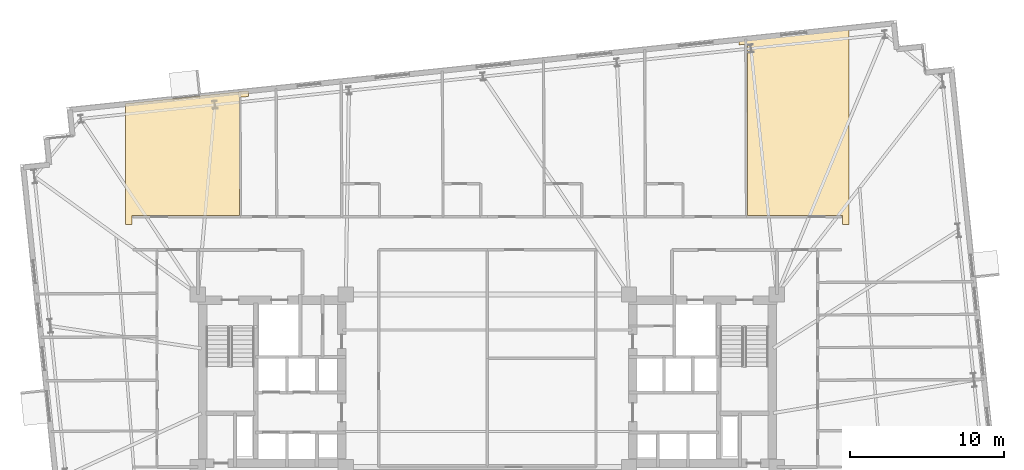
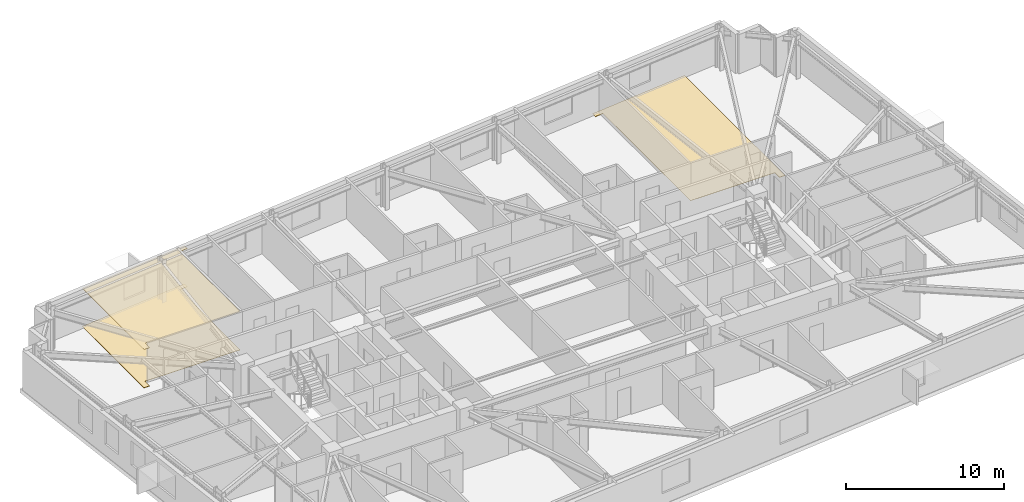
# One storey, part 20 of 20: 3 coverings.
"""IFC4 building model written with IfcOpenShell, lengths in metres."""

import ifcopenshell
import ifcopenshell.guid

model = None  # the IFC model being written
_history = None  # IfcOwnerHistory: only IFC2X3 demands one
_inside = {}  # id of a spatial element -> (the spatial element, [elements in it])
_under = {}  # id of a project, library or spatial element -> (it, [spatial elements below it])
_declared = {}  # id of a project -> (the project, [libraries it declares])
_typed = {}  # id of a type object -> (the type object, [elements of that type])
_made_of = {}  # id of a material, layer set ... -> (it, [elements and type objects made of it])


def new_model(schema):
    """Start an empty IFC model of exactly this schema.

    Asked for "IFC4X3", IfcOpenShell would pick the latest addendum, in which some entities
    have other attributes; the version numbers below select the first issue.
    IFC2X3 requires an IfcOwnerHistory on every rooted entity: one is made here for all.
    """
    global model, _history
    if schema == "IFC4X3":
        model = ifcopenshell.file(schema_version=(4, 3, 0, 0))
    else:
        model = ifcopenshell.file(schema=schema)
    _inside.clear()
    _under.clear()
    _declared.clear()
    _typed.clear()
    _made_of.clear()
    _history = None
    if model.schema == "IFC2X3":
        org = make("IfcOrganization", Name="unknown")
        user = make(
            "IfcPersonAndOrganization",
            ThePerson=make("IfcPerson", FamilyName="unknown"),
            TheOrganization=org,
        )
        app = make(
            "IfcApplication",
            ApplicationDeveloper=org,
            Version="unknown",
            ApplicationFullName="unknown",
            ApplicationIdentifier="unknown",
        )
        _history = make(
            "IfcOwnerHistory",
            OwningUser=user,
            OwningApplication=app,
            ChangeAction="ADDED",
            CreationDate=0,
        )
    return model


def make(cls, **values):
    """One entity of the class cls with the attributes given. An attribute that is None is left unset."""
    return model.create_entity(
        cls, **{name: value for name, value in values.items() if value is not None}
    )


def rooted(cls, **values):
    """An entity with a GlobalId (a new one), such as an element, a storey or a relation."""
    return make(cls, GlobalId=ifcopenshell.guid.new(), OwnerHistory=_history, **values)


def si_unit(unit_type, name, prefix=None):
    """IfcSIUnit, for example si_unit("LENGTHUNIT", "METRE", prefix="MILLI")."""
    return make("IfcSIUnit", UnitType=unit_type, Prefix=prefix, Name=name)


def assignment(units):
    """IfcUnitAssignment: the units of a project."""
    return None if units is None else make("IfcUnitAssignment", Units=units)


def point(xyz):
    """IfcCartesianPoint."""
    return None if xyz is None else make("IfcCartesianPoint", Coordinates=xyz)


def direction(xyz):
    """IfcDirection."""
    return None if xyz is None else make("IfcDirection", DirectionRatios=xyz)


def frame(location, z_axis=None, x_axis=None):
    """IfcAxis2Placement3D, a coordinate frame: its origin and axes. An axis left out is left unset."""
    return make(
        "IfcAxis2Placement3D",
        Location=point(location),
        Axis=direction(z_axis),
        RefDirection=direction(x_axis),
    )


def origin():
    """The frame at (0, 0, 0) with its axes left unset."""
    return frame((0.0, 0.0, 0.0))


def place(relative_to, where):
    """IfcLocalPlacement: puts the frame where relative to a parent placement (None: the world)."""
    return make(
        "IfcLocalPlacement", PlacementRelTo=relative_to, RelativePlacement=where
    )


def context(
    kind, dimensions, precision=None, world=None, true_north=None, identifier=None
):
    """IfcGeometricRepresentationContext, for example the 3D "Model" context."""
    return make(
        "IfcGeometricRepresentationContext",
        ContextIdentifier=identifier,
        ContextType=kind,
        CoordinateSpaceDimension=dimensions,
        Precision=precision,
        WorldCoordinateSystem=world,
        TrueNorth=true_north,
    )


def subcontext(parent, identifier, kind, view, scale=None):
    """IfcGeometricRepresentationSubContext, for example "Body" below "Model"."""
    return make(
        "IfcGeometricRepresentationSubContext",
        ContextIdentifier=identifier,
        ContextType=kind,
        ParentContext=parent,
        TargetScale=scale,
        TargetView=view,
    )


def project(units=None, contexts=None):
    """IfcProject with its units and contexts."""
    return rooted(
        "IfcProject",
        Name="project",
        RepresentationContexts=contexts,
        UnitsInContext=assignment(units),
    )


def spatial(cls, under=None, at=None, **own):
    """A site, building, storey or space (cls), placed at a placement, below another one or the project."""
    s = rooted(cls, ObjectPlacement=at, **own)
    if under is not None:
        _under.setdefault(under.id(), (under, []))[1].append(s)
    return s


def polyline(points):
    """IfcPolyline through the points."""
    return make("IfcPolyline", Points=[point(p) for p in points])


def outline(outer, holes=None, kind="AREA"):
    """IfcArbitraryClosedProfileDef: a profile drawn as a closed curve; with holes, ...WithVoids."""
    if holes is None:
        return make("IfcArbitraryClosedProfileDef", ProfileType=kind, OuterCurve=outer)
    return make(
        "IfcArbitraryProfileDefWithVoids",
        ProfileType=kind,
        OuterCurve=outer,
        InnerCurves=holes,
    )


def extrude(swept, where, along, depth):
    """IfcExtrudedAreaSolid: the profile swept, set in the frame where, extruded along a direction by depth."""
    return make(
        "IfcExtrudedAreaSolid",
        SweptArea=swept,
        Position=where,
        ExtrudedDirection=direction(along),
        Depth=depth,
    )


def shape(context_of_items, identifier, shape_type, items):
    """IfcShapeRepresentation: the items that make up one representation, for example the "Body"."""
    return make(
        "IfcShapeRepresentation",
        ContextOfItems=context_of_items,
        RepresentationIdentifier=identifier,
        RepresentationType=shape_type,
        Items=items,
    )


def material(Name=None, Category=None):
    """IfcMaterial."""
    return make("IfcMaterial", Name=Name, Category=Category)


def layer(
    of_material, thickness, ventilated=None, Name=None, Category=None, Priority=None
):
    """IfcMaterialLayer: one layer of a wall or slab, of a material (None: an air gap)."""
    return make(
        "IfcMaterialLayer",
        Material=of_material,
        LayerThickness=thickness,
        IsVentilated=ventilated,
        Name=Name,
        Category=Category,
        Priority=Priority,
    )


def layer_set(layers, Name=None):
    """IfcMaterialLayerSet."""
    return make("IfcMaterialLayerSet", MaterialLayers=layers, LayerSetName=Name)


def made_of(thing, what):
    """Note that an element or type object is made of a material, layer set ...; save() writes the relation."""
    if what is not None:
        _made_of.setdefault(what.id(), (what, []))[1].append(thing)
    return thing


def type_object(cls, material=None, **own):
    """A type object (cls), such as IfcWallType, which elements share."""
    return made_of(rooted(cls, **own), material)


def element(
    cls,
    number,
    at=None,
    inside=None,
    cuts=None,
    type_object=None,
    material=None,
    context=None,
    identifier="Body",
    shape_type=None,
    held_by="IfcProductDefinitionShape",
    body=None,
    shapes=None,
    **own,
):
    """One element of the class cls, such as IfcWall. Its Tag is "e" and its number.

    at: its placement. inside: the storey or other place that contains it. cuts: it is an
    opening in that element (IfcRelVoidsElement). A single representation is given by context,
    identifier, shape_type and body (its items); several are given by shapes. held_by: the class
    of the entity that holds the representations. save() writes the other relations.
    """
    e = rooted(cls, Tag="e%d" % number, ObjectPlacement=at, **own)
    if body is not None:
        shapes = [shape(context, identifier, shape_type, body)]
    if shapes is not None:
        e.Representation = make(held_by, Representations=shapes)
    if inside is not None:
        _inside.setdefault(inside.id(), (inside, []))[1].append(e)
    if cuts is not None:
        rooted(
            "IfcRelVoidsElement", RelatingBuildingElement=cuts, RelatedOpeningElement=e
        )
    if type_object is not None:
        _typed.setdefault(type_object.id(), (type_object, []))[1].append(e)
    return made_of(e, material)


def aggregate(whole, parts):
    """IfcRelAggregates: a whole, such as a stair, and the parts it consists of."""
    return rooted("IfcRelAggregates", RelatingObject=whole, RelatedObjects=parts)


def save(model, path):
    """Write the relations noted so far, then the file.

    IfcRelAggregates (storeys below a building ...), IfcRelContainedInSpatialStructure (elements
    in a storey), IfcRelDefinesByType, IfcRelAssociatesMaterial and IfcRelDeclares: one each for
    every whole, place, type object, material and project.
    """
    for whole, parts in _under.values():
        aggregate(whole, parts)
    for where, things in _inside.values():
        rooted(
            "IfcRelContainedInSpatialStructure",
            RelatedElements=things,
            RelatingStructure=where,
        )
    for kind, things in _typed.values():
        rooted("IfcRelDefinesByType", RelatedObjects=things, RelatingType=kind)
    for what, things in _made_of.values():
        rooted("IfcRelAssociatesMaterial", RelatedObjects=things, RelatingMaterial=what)
    for by, libraries in _declared.values():
        rooted("IfcRelDeclares", RelatingContext=by, RelatedDefinitions=libraries)
    model.write(path)


model = new_model("IFC4")

# Units and contexts
model_context = context("Model", 3, precision=1e-05, world=origin(), true_north=direction((0.0, 1.0)))
body_context = subcontext(model_context, "Body", "Model", "MODEL_VIEW")
ifc_project = project(units=[si_unit("LENGTHUNIT", "METRE"), si_unit("AREAUNIT", "SQUARE_METRE"), si_unit("VOLUMEUNIT", "CUBIC_METRE"), si_unit("PLANEANGLEUNIT", "RADIAN"), si_unit("MASSUNIT", "GRAM", prefix="KILO")], contexts=[model_context])

# Site, building, storey
site_placement = place(None, origin())
site = spatial("IfcSite", under=ifc_project, at=site_placement, CompositionType="ELEMENT")
building_placement = place(site_placement, origin())
building = spatial("IfcBuilding", under=site, at=building_placement, Name="Qobustan Lattice House", CompositionType="ELEMENT")
storey_placement = place(building_placement, frame((0.0, 0.0, 89.050048828125)))
storey = spatial("IfcBuildingStorey", under=building, at=storey_placement, Name="L24", CompositionType="ELEMENT", Elevation=89.050048828125)

# Coverings
ifc_material_1 = material(Name="Perforated gypsum acoustic ceiling", Category="gypsum")
ifc_layer_1 = layer(ifc_material_1, 0.030029296875)
ifc_layer_set_1 = layer_set([ifc_layer_1], Name="Perforated gypsum acoustic ceiling")
covering_type_1 = type_object("IfcCoveringType", Name="COV-ACOUSTIC-CEIL", PredefinedType="CEILING", material=ifc_layer_set_1)
covering_1_placement = place(storey_placement, frame((0.0, 0.0, 2.954833984375)))
element("IfcCovering", 1, at=covering_1_placement, inside=storey, type_object=covering_type_1, Name="L24 Focus study room N1 acoustic ceiling", PredefinedType="CEILING", context=body_context, shape_type="SweptSolid", body=[
    extrude(outline(polyline([(-15.529052734375, 18.832763671875), (-23.5, 17.9951171875), (-23.5, 10.14990234375), (-23.080078125, 10.14990234375), (-23.080078125, 10.72998046875), (-16.10888671875, 10.72998046875), (-16.10888671875, 18.39990234375), (-15.529052734375, 18.460693359375), (-15.529052734375, 18.832763671875)])), origin(), (0.0, 0.0, 1.0), 0.030029296875),
])
ifc_material_2 = material(Name="Honed Absheron stone terrazzo flooring", Category="masonry")
ifc_layer_2 = layer(ifc_material_2, 0.02490234375)
ifc_layer_set_2 = layer_set([ifc_layer_2], Name="Honed Absheron stone terrazzo flooring")
covering_type_2 = type_object("IfcCoveringType", Name="COV-TERRAZZO-FLR", PredefinedType="FLOORING", material=ifc_layer_set_2)
covering_2_placement = place(storey_placement, origin())
element("IfcCovering", 2, at=covering_2_placement, inside=storey, type_object=covering_type_2, Name="L24 Focus study room N1 stone terrazzo flooring", PredefinedType="FLOORING", context=body_context, shape_type="SweptSolid", body=[
    extrude(outline(polyline([(-15.529052734375, 18.832763671875), (-23.5, 17.9951171875), (-23.5, 10.14990234375), (-23.080078125, 10.14990234375), (-23.080078125, 10.72998046875), (-16.10888671875, 10.72998046875), (-16.10888671875, 18.39990234375), (-15.529052734375, 18.460693359375), (-15.529052734375, 18.832763671875)])), origin(), (0.0, 0.0, 1.0), 0.02490234375),
])
covering_3_placement = place(storey_placement, origin())
element("IfcCovering", 3, at=covering_3_placement, inside=storey, type_object=covering_type_2, Name="L24 Focus study room N7 stone terrazzo flooring", PredefinedType="FLOORING", context=body_context, shape_type="SweptSolid", body=[
    extrude(outline(polyline([(16.3291015625, 22.18115234375), (16.3291015625, 21.80908203125), (16.908935546875, 21.8701171875), (16.908935546875, 10.72998046875), (23.080078125, 10.72998046875), (23.080078125, 10.14990234375), (23.5, 10.14990234375), (23.5, 22.93505859375), (16.3291015625, 22.18115234375)])), origin(), (0.0, 0.0, 1.0), 0.02490234375),
])

save(model, "model.ifc")
